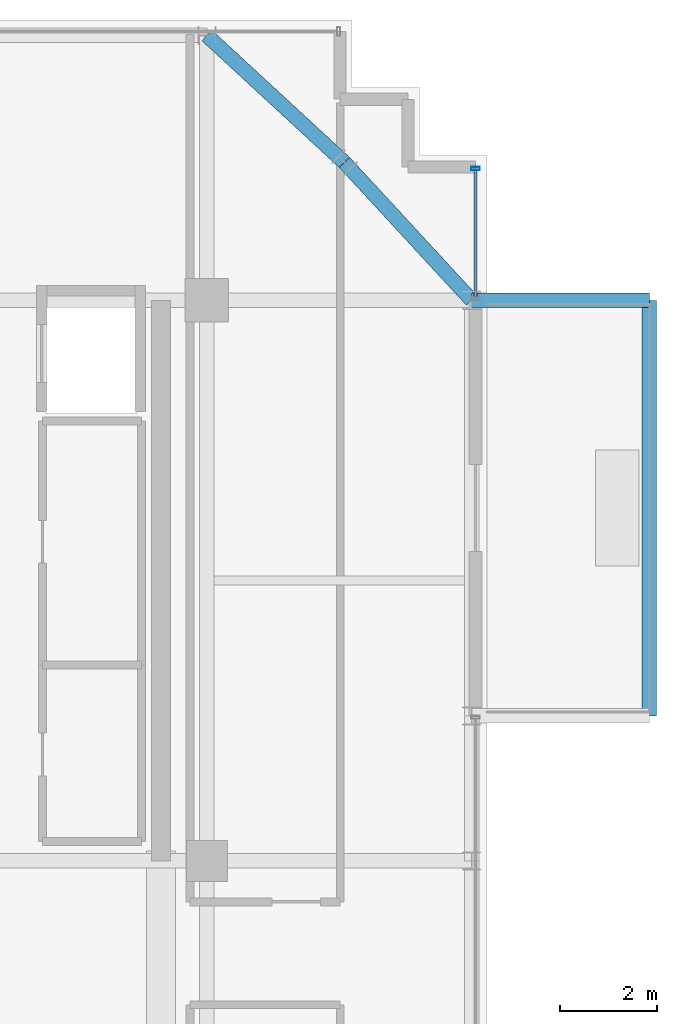
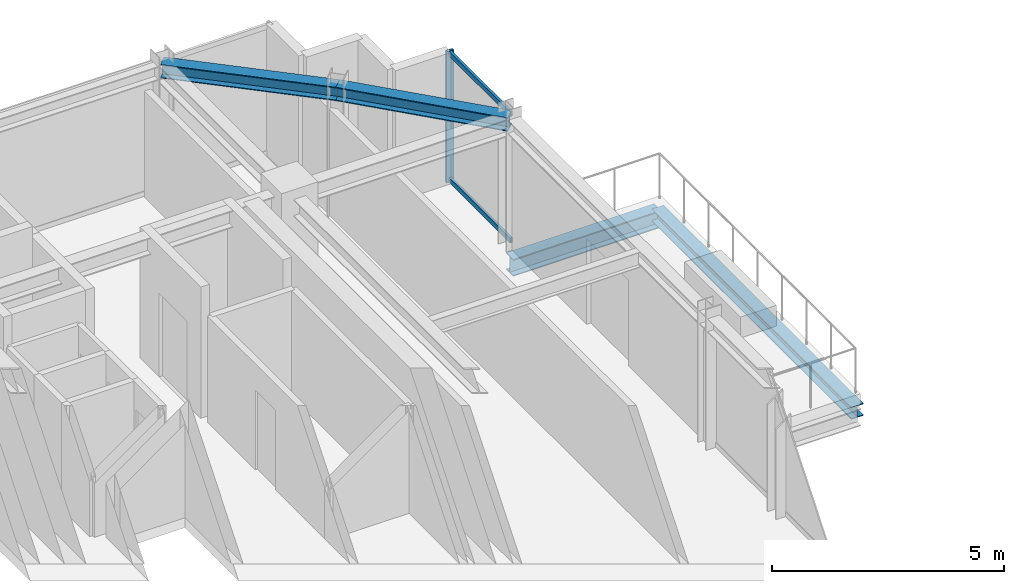
# One storey, part 24 of 33: 4 beams, 3 members, 1 element without a shape of its own.
"""IFC4 building model written with IfcOpenShell, lengths in metres."""

from ifc_helpers import new_model, si_unit, direction, frame, origin, origin_2d, place, context, subcontext, project, spatial, hollow_rectangle, i_section, extrude, source, transform, mapped, material, material_profile, profile_set, type_object, element, aggregate, save


model = new_model("IFC4")

# Units and contexts
model_context = context("Model", 3, precision=1e-05, world=origin(), true_north=direction((0.0, 1.0)))
body_context = subcontext(model_context, "Body", "Model", "MODEL_VIEW")
ifc_project = project(units=[si_unit("LENGTHUNIT", "METRE"), si_unit("AREAUNIT", "SQUARE_METRE"), si_unit("VOLUMEUNIT", "CUBIC_METRE"), si_unit("PLANEANGLEUNIT", "RADIAN"), si_unit("MASSUNIT", "GRAM", prefix="KILO")], contexts=[model_context])

# Site, building, storey
site_placement = place(None, origin())
site = spatial("IfcSite", under=ifc_project, at=site_placement, CompositionType="ELEMENT")
building_placement = place(site_placement, origin())
building = spatial("IfcBuilding", under=site, at=building_placement, Name="Nahalor Promenade Grand Hotel", CompositionType="ELEMENT")
storey_placement = place(building_placement, frame((0.0, 0.0, 270.050048828125)))
storey = spatial("IfcBuildingStorey", under=building, at=storey_placement, Name="L69", CompositionType="ELEMENT", Elevation=270.050048828125)

# Beams
ifc_material_1 = material(Name="Steel S355JR", Category="steel")
ifc_material_profile_1 = material_profile(ifc_material_1, i_section(OverallWidth=0.3, OverallDepth=0.32, WebThickness=0.0115, FlangeThickness=0.0205, at=origin_2d()), Name="HEB 320")
ifc_profile_set_1 = profile_set([ifc_material_profile_1], Name="Steel S355JR")
beam_type_1 = type_object("IfcBeamType", Name="Beam-BalcEdge-HEB320", PredefinedType="SPANDREL", material=ifc_profile_set_1)
shared_shape_1 = source(origin(), body_context, "Body", "SweptSolid", [
    extrude(i_section(OverallWidth=0.3, OverallDepth=0.32, WebThickness=0.0115, FlangeThickness=0.0205, at=origin_2d()), origin(), (0.0, 0.0, 1.0), 8.60009765625),
])
beam_1_placement = place(storey_placement, frame((26.159912109375, 8.39990234375, -0.43994140625), z_axis=(0.0, 1.0, 0.0), x_axis=(-1.0, 0.0, 0.0)))
element("IfcBeam", 1, at=beam_1_placement, inside=storey, type_object=beam_type_1, Name="BM-L69-BC-02-F", PredefinedType="SPANDREL", context=body_context, shape_type="MappedRepresentation", body=[
    mapped(shared_shape_1, transform((0.0, 0.0, 0.0), scale=1.0)),
])
ifc_material_profile_2 = material_profile(ifc_material_1, i_section(OverallWidth=0.3, OverallDepth=0.45, WebThickness=0.014, FlangeThickness=0.026, at=origin_2d()), Name="HEB 450")
ifc_profile_set_2 = profile_set([ifc_material_profile_2], Name="Steel S355JR")
beam_type_2 = type_object("IfcBeamType", Name="Beam-Outrigger-HEB450", PredefinedType="BEAM", material=ifc_profile_set_2)
shared_shape_2 = source(origin(), body_context, "Body", "SweptSolid", [
    extrude(i_section(OverallWidth=0.3, OverallDepth=0.45, WebThickness=0.014, FlangeThickness=0.026, at=origin_2d()), origin(), (0.0, 0.0, 1.0), 3.679931640625),
])
beam_2_placement = place(storey_placement, frame((22.47998046875, 17.0, -0.505126953125), z_axis=(1.0, 0.0, 0.0), x_axis=(0.0, 1.0, 0.0)))
element("IfcBeam", 2, at=beam_2_placement, inside=storey, type_object=beam_type_2, Name="BM-L69-BC-02-2", PredefinedType="BEAM", context=body_context, shape_type="MappedRepresentation", body=[
    mapped(shared_shape_2, transform((0.0, 0.0, 0.0), scale=1.0)),
])
ifc_material_profile_3 = material_profile(ifc_material_1, i_section(OverallWidth=0.3, OverallDepth=0.36, WebThickness=0.0125, FlangeThickness=0.0225, at=origin_2d()), Name="HEB 360")
ifc_profile_set_3 = profile_set([ifc_material_profile_3], Name="Steel S355JR")
beam_type_3 = type_object("IfcBeamType", Name="Beam-Spandrel-HEB360", PredefinedType="SPANDREL", material=ifc_profile_set_3)
shared_shape_3 = source(origin(), body_context, "Body", "SweptSolid", [
    extrude(i_section(OverallWidth=0.3, OverallDepth=0.36, WebThickness=0.0125, FlangeThickness=0.0225, at=origin_2d()), origin(), (0.0, 0.0, 1.0), 3.878173828125),
])
for number, where, z_axis, x_axis, name in (
    (3, (17.0, 22.47998046875, 3.27001953125), (0.73492893846, -0.678144125843, 0.0), (0.678144125843, 0.73492893846, 0.0), "BM-L69-SPC-NE-1"),
    (4, (19.85009765625, 19.85009765625, 3.27001953125), (0.678144125843, -0.73492893846, 0.0), (0.73492893846, 0.678144125843, 0.0), "BM-L69-SPC-NE-2"),
):
    element("IfcBeam", number, at=place(storey_placement, frame(where, z_axis=z_axis, x_axis=x_axis)), inside=storey, type_object=beam_type_3, Name=name, PredefinedType="SPANDREL", context=body_context, shape_type="MappedRepresentation", body=[
        mapped(shared_shape_3, transform((0.0, 0.0, 0.0), scale=1.0)),
    ])

# Curtain wall, members
ifc_material_2 = material(Name="Anodised Bronze Aluminium EN AW-6063 T6", Category="aluminium")
curtain_wall_type = type_object("IfcCurtainWallType", Name="CW2 Typical Hotel Flush Bronze Unitised Curtain Wall", PredefinedType="USERDEFINED", material=ifc_material_2)
curtain_wall_placement = place(storey_placement, origin())
curtain_wall = element("IfcCurtainWall", 5, at=curtain_wall_placement, inside=storey, type_object=curtain_wall_type, Name="L69 Curtain Wall CW-L69-E-3", ObjectType="UNITISED_CURTAIN_WALL", PredefinedType="USERDEFINED")
ifc_material_profile_4 = material_profile(ifc_material_2, hollow_rectangle(XDim=0.065, YDim=0.13, WallThickness=0.004, at=origin_2d()), Name="CWT 65x130x4")
ifc_profile_set_4 = profile_set([ifc_material_profile_4], Name="Anodised Bronze Aluminium EN AW-6063 T6")
member_type_1 = type_object("IfcMemberType", Name="CWT2 Typical Bronze Transom 65x130", PredefinedType="USERDEFINED", material=ifc_profile_set_4)
shared_shape_4 = source(origin(), body_context, "Body", "SweptSolid", [
    extrude(hollow_rectangle(XDim=0.065, YDim=0.13, WallThickness=0.004, at=origin_2d()), origin(), (0.0, 0.0, 1.0), 2.630126953125),
])
member_1_placement = place(storey_placement, frame((22.56005859375, 17.06494140625, 0.06494140625), z_axis=(0.0, 1.0, 0.0), x_axis=(-1.0, 0.0, 0.0)))
member_1 = element("IfcMember", 6, at=member_1_placement, type_object=member_type_1, Name="CW-L69-E-3 Transom 0-0", ObjectType="TRANSOM", PredefinedType="USERDEFINED", context=body_context, shape_type="MappedRepresentation", body=[
    mapped(shared_shape_4, transform((0.0, 0.0, 0.0), scale=1.0)),
])
member_2_placement = place(storey_placement, frame((22.56005859375, 17.06494140625, 3.385009765625), z_axis=(0.0, 1.0, 0.0), x_axis=(-1.0, 0.0, 0.0)))
member_2 = element("IfcMember", 7, at=member_2_placement, type_object=member_type_1, Name="CW-L69-E-3 Transom 0-1", ObjectType="TRANSOM", PredefinedType="USERDEFINED", context=body_context, shape_type="MappedRepresentation", body=[
    mapped(shared_shape_4, transform((0.0, 0.0, 0.0), scale=1.0)),
])
ifc_material_profile_5 = material_profile(ifc_material_2, hollow_rectangle(XDim=0.065, YDim=0.18, WallThickness=0.004, at=origin_2d()), Name="CWM 65x180x4")
ifc_profile_set_5 = profile_set([ifc_material_profile_5], Name="Anodised Bronze Aluminium EN AW-6063 T6")
member_type_2 = type_object("IfcMemberType", Name="CWM2 Typical Bronze Mullion 65x180", PredefinedType="MULLION", material=ifc_profile_set_5)
shared_shape_5 = source(origin(), body_context, "Body", "SweptSolid", [
    extrude(hollow_rectangle(XDim=0.065, YDim=0.18, WallThickness=0.004, at=origin_2d()), origin(), (0.0, 0.0, 1.0), 3.449951171875),
])
member_3_placement = place(storey_placement, frame((22.56005859375, 19.7275390625, 0.0), z_axis=(0.0, 0.0, 1.0), x_axis=(0.0, 1.0, 0.0)))
member_3 = element("IfcMember", 8, at=member_3_placement, type_object=member_type_2, Name="CW-L69-E-3 Mullion 1", PredefinedType="MULLION", context=body_context, shape_type="MappedRepresentation", body=[
    mapped(shared_shape_5, transform((0.0, 0.0, 0.0), scale=1.0)),
])
aggregate(curtain_wall, [member_3, member_1, member_2])

save(model, "model.ifc")
